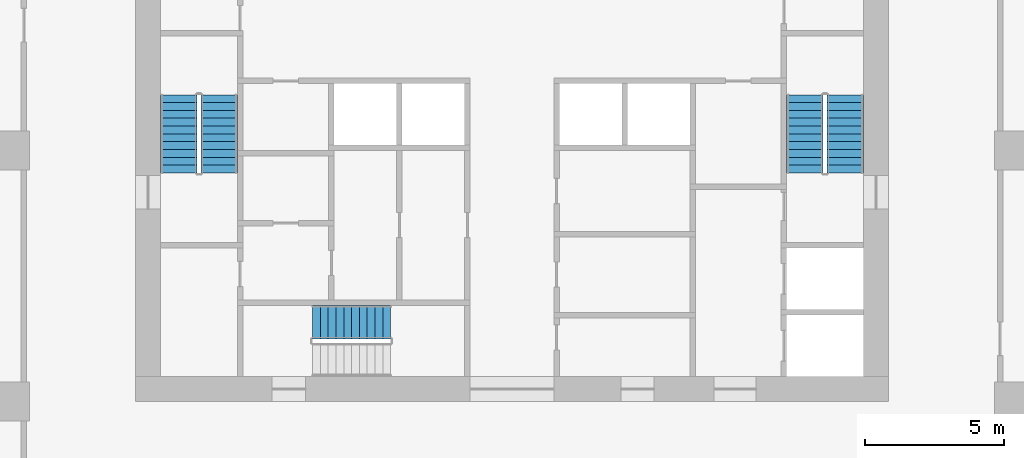
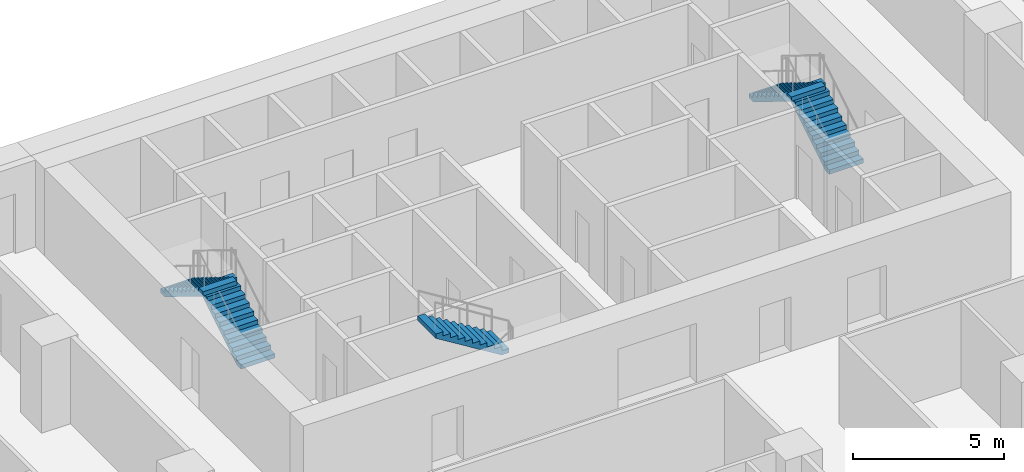
# One storey, part 7 of 14: 5 stair flights, 3 elements without a shape of their own.
"""IFC4 building model written with IfcOpenShell, lengths in metres."""

from ifc_helpers import new_model, si_unit, direction, frame, origin, place, context, subcontext, project, spatial, polyline, outline, extrude, material, type_object, element, aggregate, save


model = new_model("IFC4")

# Units and contexts
model_context = context("Model", 3, precision=1e-05, world=origin(), true_north=direction((0.0, 1.0)))
body_context = subcontext(model_context, "Body", "Model", "MODEL_VIEW")
ifc_project = project(units=[si_unit("LENGTHUNIT", "METRE"), si_unit("AREAUNIT", "SQUARE_METRE"), si_unit("VOLUMEUNIT", "CUBIC_METRE"), si_unit("PLANEANGLEUNIT", "RADIAN"), si_unit("MASSUNIT", "GRAM", prefix="KILO")], contexts=[model_context])

# Site, building, storey
site_placement = place(None, origin())
site = spatial("IfcSite", under=ifc_project, at=site_placement, CompositionType="ELEMENT")
building_placement = place(site_placement, origin())
building = spatial("IfcBuilding", under=site, at=building_placement, Name="Orbiselva Terraces", CompositionType="ELEMENT")
storey_placement = place(building_placement, frame((0.0, 0.0, 84.6)))
storey = spatial("IfcBuildingStorey", under=building, at=storey_placement, Name="L21", CompositionType="ELEMENT", Elevation=84.6)

# Stair, stair flight
ifc_material = material(Name="Concrete C40/50", Category="concrete")
stair_type_1 = type_object("IfcStairType", Name="CORE-STAIR-1200", PredefinedType="HALF_TURN_STAIR", material=ifc_material)
stair_1_placement = place(storey_placement, origin())
stair_1 = element("IfcStair", 1, at=stair_1_placement, inside=storey, type_object=stair_type_1, Name="L21 Exit Stair S3", PredefinedType="HALF_TURN_STAIR")
stair_flight_type_1 = type_object("IfcStairFlightType", Name="CORE-STAIR-FLIGHT-1200", PredefinedType="STRAIGHT", material=ifc_material)
stair_flight_1_placement = place(storey_placement, frame((-4.35, 7.35, 1.9), z_axis=(0.0, 0.0, 1.0), x_axis=(-1.0, 0.0, 0.0)))
stair_flight_1 = element("IfcStairFlight", 2, at=stair_flight_1_placement, type_object=stair_flight_type_1, Name="S3 flight 2", NumberOfRisers=11, NumberOfTreads=10, PredefinedType="STRAIGHT", RiserHeight=0.172727273, TreadLength=0.28, context=body_context, shape_type="SweptSolid", body=[
    extrude(outline(polyline([(0.0, 0.0), (0.0, 0.172727), (0.28, 0.172727), (0.28, 0.345455), (0.56, 0.345455), (0.56, 0.518182), (0.84, 0.518182), (0.84, 0.690909), (1.12, 0.690909), (1.12, 0.863636), (1.4, 0.863636), (1.4, 1.036364), (1.68, 1.036364), (1.68, 1.209091), (1.96, 1.209091), (1.96, 1.381818), (2.24, 1.381818), (2.24, 1.554545), (2.52, 1.554545), (2.52, 1.727273), (2.8, 1.727273), (2.8, 1.9), (2.8, 1.551028), (0.285702, 0.0), (0.0, 0.0)])), frame((0.0, 0.6, 0.0), z_axis=(0.0, -1.0, 0.0), x_axis=(1.0, 0.0, 0.0)), (0.0, 0.0, 1.0), 1.2),
])
aggregate(stair_1, [stair_flight_1])

# Stair, stair flights
stair_type_2 = type_object("IfcStairType", Name="CORE-STAIR-1300", PredefinedType="HALF_TURN_STAIR", material=ifc_material)
stair_2_placement = place(storey_placement, origin())
stair_2 = element("IfcStair", 3, at=stair_2_placement, inside=storey, type_object=stair_type_2, Name="L21 Exit Stair S1", PredefinedType="HALF_TURN_STAIR")
stair_flight_type_2 = type_object("IfcStairFlightType", Name="CORE-STAIR-FLIGHT-1300", PredefinedType="STRAIGHT", material=ifc_material)
stair_flight_2_placement = place(storey_placement, frame((-10.5, 12.7, 0.0), z_axis=(0.0, 0.0, 1.0), x_axis=(0.0, 1.0, 0.0)))
stair_flight_2 = element("IfcStairFlight", 4, at=stair_flight_2_placement, type_object=stair_flight_type_2, Name="S1 flight 1", NumberOfRisers=11, NumberOfTreads=10, PredefinedType="STRAIGHT", RiserHeight=0.172727273, TreadLength=0.28, context=body_context, shape_type="SweptSolid", body=[
    extrude(outline(polyline([(0.0, 0.0), (0.0, 0.172727), (0.28, 0.172727), (0.28, 0.345455), (0.56, 0.345455), (0.56, 0.518182), (0.84, 0.518182), (0.84, 0.690909), (1.12, 0.690909), (1.12, 0.863636), (1.4, 0.863636), (1.4, 1.036364), (1.68, 1.036364), (1.68, 1.209091), (1.96, 1.209091), (1.96, 1.381818), (2.24, 1.381818), (2.24, 1.554545), (2.52, 1.554545), (2.52, 1.727273), (2.8, 1.727273), (2.8, 1.9), (2.8, 1.551028), (0.285702, 0.0), (0.0, 0.0)])), frame((0.0, 0.65, 0.0), z_axis=(0.0, -1.0, 0.0), x_axis=(1.0, 0.0, 0.0)), (0.0, 0.0, 1.0), 1.3),
])
stair_flight_3_placement = place(storey_placement, frame((-11.95, 15.5, 1.9), z_axis=(0.0, 0.0, 1.0), x_axis=(0.0, -1.0, 0.0)))
stair_flight_3 = element("IfcStairFlight", 5, at=stair_flight_3_placement, type_object=stair_flight_type_2, Name="S1 flight 2", NumberOfRisers=11, NumberOfTreads=10, PredefinedType="STRAIGHT", RiserHeight=0.172727273, TreadLength=0.28, context=body_context, shape_type="SweptSolid", body=[
    extrude(outline(polyline([(0.0, 0.0), (0.0, 0.172727), (0.28, 0.172727), (0.28, 0.345455), (0.56, 0.345455), (0.56, 0.518182), (0.84, 0.518182), (0.84, 0.690909), (1.12, 0.690909), (1.12, 0.863636), (1.4, 0.863636), (1.4, 1.036364), (1.68, 1.036364), (1.68, 1.209091), (1.96, 1.209091), (1.96, 1.381818), (2.24, 1.381818), (2.24, 1.554545), (2.52, 1.554545), (2.52, 1.727273), (2.8, 1.727273), (2.8, 1.9), (2.8, 1.551028), (0.285702, 0.0), (0.0, 0.0)])), frame((0.0, 0.65, 0.0), z_axis=(0.0, -1.0, 0.0), x_axis=(1.0, 0.0, 0.0)), (0.0, 0.0, 1.0), 1.3),
])
aggregate(stair_2, [stair_flight_2, stair_flight_3])

stair_3_placement = place(storey_placement, origin())
stair_3 = element("IfcStair", 6, at=stair_3_placement, inside=storey, type_object=stair_type_2, Name="L21 Exit Stair S2", PredefinedType="HALF_TURN_STAIR")
stair_flight_4_placement = place(storey_placement, frame((11.95, 12.7, 0.0), z_axis=(0.0, 0.0, 1.0), x_axis=(0.0, 1.0, 0.0)))
stair_flight_4 = element("IfcStairFlight", 7, at=stair_flight_4_placement, type_object=stair_flight_type_2, Name="S2 flight 1", NumberOfRisers=11, NumberOfTreads=10, PredefinedType="STRAIGHT", RiserHeight=0.172727273, TreadLength=0.28, context=body_context, shape_type="SweptSolid", body=[
    extrude(outline(polyline([(0.0, 0.0), (0.0, 0.172727), (0.28, 0.172727), (0.28, 0.345455), (0.56, 0.345455), (0.56, 0.518182), (0.84, 0.518182), (0.84, 0.690909), (1.12, 0.690909), (1.12, 0.863636), (1.4, 0.863636), (1.4, 1.036364), (1.68, 1.036364), (1.68, 1.209091), (1.96, 1.209091), (1.96, 1.381818), (2.24, 1.381818), (2.24, 1.554545), (2.52, 1.554545), (2.52, 1.727273), (2.8, 1.727273), (2.8, 1.9), (2.8, 1.551028), (0.285702, 0.0), (0.0, 0.0)])), frame((0.0, 0.65, 0.0), z_axis=(0.0, -1.0, 0.0), x_axis=(1.0, 0.0, 0.0)), (0.0, 0.0, 1.0), 1.3),
])
stair_flight_5_placement = place(storey_placement, frame((10.5, 15.5, 1.9), z_axis=(0.0, 0.0, 1.0), x_axis=(0.0, -1.0, 0.0)))
stair_flight_5 = element("IfcStairFlight", 8, at=stair_flight_5_placement, type_object=stair_flight_type_2, Name="S2 flight 2", NumberOfRisers=11, NumberOfTreads=10, PredefinedType="STRAIGHT", RiserHeight=0.172727273, TreadLength=0.28, context=body_context, shape_type="SweptSolid", body=[
    extrude(outline(polyline([(0.0, 0.0), (0.0, 0.172727), (0.28, 0.172727), (0.28, 0.345455), (0.56, 0.345455), (0.56, 0.518182), (0.84, 0.518182), (0.84, 0.690909), (1.12, 0.690909), (1.12, 0.863636), (1.4, 0.863636), (1.4, 1.036364), (1.68, 1.036364), (1.68, 1.209091), (1.96, 1.209091), (1.96, 1.381818), (2.24, 1.381818), (2.24, 1.554545), (2.52, 1.554545), (2.52, 1.727273), (2.8, 1.727273), (2.8, 1.9), (2.8, 1.551028), (0.285702, 0.0), (0.0, 0.0)])), frame((0.0, 0.65, 0.0), z_axis=(0.0, -1.0, 0.0), x_axis=(1.0, 0.0, 0.0)), (0.0, 0.0, 1.0), 1.3),
])
aggregate(stair_3, [stair_flight_4, stair_flight_5])

save(model, "model.ifc")
